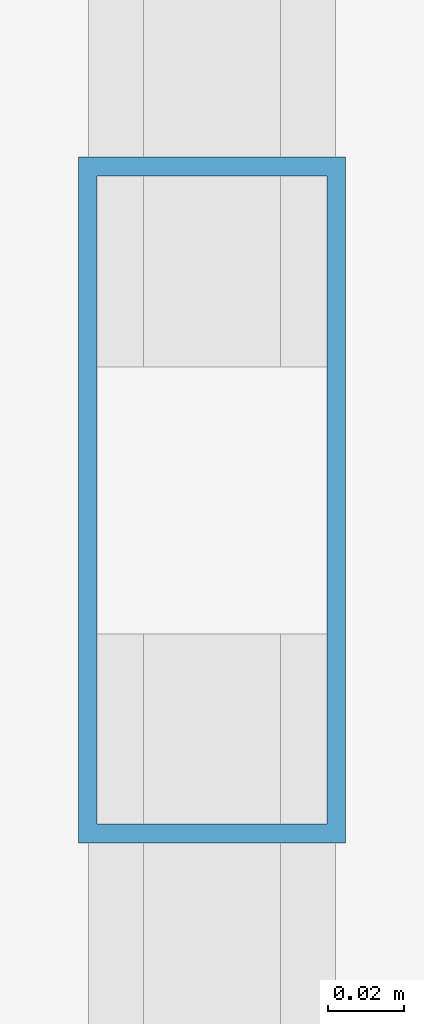
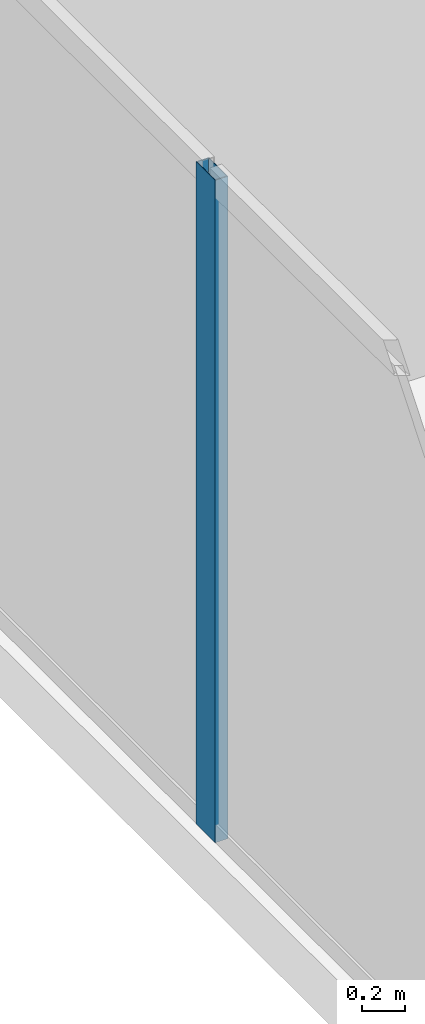
# One storey, part 9 of 33: 1 member, 1 element without a shape of its own.
"""IFC4 building model written with IfcOpenShell, lengths in metres."""

import ifcopenshell
import ifcopenshell.guid

model = None  # the IFC model being written
_history = None  # IfcOwnerHistory: only IFC2X3 demands one
_inside = {}  # id of a spatial element -> (the spatial element, [elements in it])
_under = {}  # id of a project, library or spatial element -> (it, [spatial elements below it])
_declared = {}  # id of a project -> (the project, [libraries it declares])
_typed = {}  # id of a type object -> (the type object, [elements of that type])
_made_of = {}  # id of a material, layer set ... -> (it, [elements and type objects made of it])


def new_model(schema):
    """Start an empty IFC model of exactly this schema.

    Asked for "IFC4X3", IfcOpenShell would pick the latest addendum, in which some entities
    have other attributes; the version numbers below select the first issue.
    IFC2X3 requires an IfcOwnerHistory on every rooted entity: one is made here for all.
    """
    global model, _history
    if schema == "IFC4X3":
        model = ifcopenshell.file(schema_version=(4, 3, 0, 0))
    else:
        model = ifcopenshell.file(schema=schema)
    _inside.clear()
    _under.clear()
    _declared.clear()
    _typed.clear()
    _made_of.clear()
    _history = None
    if model.schema == "IFC2X3":
        org = make("IfcOrganization", Name="unknown")
        user = make(
            "IfcPersonAndOrganization",
            ThePerson=make("IfcPerson", FamilyName="unknown"),
            TheOrganization=org,
        )
        app = make(
            "IfcApplication",
            ApplicationDeveloper=org,
            Version="unknown",
            ApplicationFullName="unknown",
            ApplicationIdentifier="unknown",
        )
        _history = make(
            "IfcOwnerHistory",
            OwningUser=user,
            OwningApplication=app,
            ChangeAction="ADDED",
            CreationDate=0,
        )
    return model


def make(cls, **values):
    """One entity of the class cls with the attributes given. An attribute that is None is left unset."""
    return model.create_entity(
        cls, **{name: value for name, value in values.items() if value is not None}
    )


def rooted(cls, **values):
    """An entity with a GlobalId (a new one), such as an element, a storey or a relation."""
    return make(cls, GlobalId=ifcopenshell.guid.new(), OwnerHistory=_history, **values)


def si_unit(unit_type, name, prefix=None):
    """IfcSIUnit, for example si_unit("LENGTHUNIT", "METRE", prefix="MILLI")."""
    return make("IfcSIUnit", UnitType=unit_type, Prefix=prefix, Name=name)


def assignment(units):
    """IfcUnitAssignment: the units of a project."""
    return None if units is None else make("IfcUnitAssignment", Units=units)


def point(xyz):
    """IfcCartesianPoint."""
    return None if xyz is None else make("IfcCartesianPoint", Coordinates=xyz)


def direction(xyz):
    """IfcDirection."""
    return None if xyz is None else make("IfcDirection", DirectionRatios=xyz)


def frame(location, z_axis=None, x_axis=None):
    """IfcAxis2Placement3D, a coordinate frame: its origin and axes. An axis left out is left unset."""
    return make(
        "IfcAxis2Placement3D",
        Location=point(location),
        Axis=direction(z_axis),
        RefDirection=direction(x_axis),
    )


def frame_2d(location, x_axis=None):
    """IfcAxis2Placement2D, a coordinate frame in the plane: its origin and x axis."""
    return make(
        "IfcAxis2Placement2D", Location=point(location), RefDirection=direction(x_axis)
    )


def origin():
    """The frame at (0, 0, 0) with its axes left unset."""
    return frame((0.0, 0.0, 0.0))


def origin_2d():
    """The frame at (0, 0) in the plane with its x axis left unset."""
    return frame_2d((0.0, 0.0))


def place(relative_to, where):
    """IfcLocalPlacement: puts the frame where relative to a parent placement (None: the world)."""
    return make(
        "IfcLocalPlacement", PlacementRelTo=relative_to, RelativePlacement=where
    )


def context(
    kind, dimensions, precision=None, world=None, true_north=None, identifier=None
):
    """IfcGeometricRepresentationContext, for example the 3D "Model" context."""
    return make(
        "IfcGeometricRepresentationContext",
        ContextIdentifier=identifier,
        ContextType=kind,
        CoordinateSpaceDimension=dimensions,
        Precision=precision,
        WorldCoordinateSystem=world,
        TrueNorth=true_north,
    )


def subcontext(parent, identifier, kind, view, scale=None):
    """IfcGeometricRepresentationSubContext, for example "Body" below "Model"."""
    return make(
        "IfcGeometricRepresentationSubContext",
        ContextIdentifier=identifier,
        ContextType=kind,
        ParentContext=parent,
        TargetScale=scale,
        TargetView=view,
    )


def project(units=None, contexts=None):
    """IfcProject with its units and contexts."""
    return rooted(
        "IfcProject",
        Name="project",
        RepresentationContexts=contexts,
        UnitsInContext=assignment(units),
    )


def spatial(cls, under=None, at=None, **own):
    """A site, building, storey or space (cls), placed at a placement, below another one or the project."""
    s = rooted(cls, ObjectPlacement=at, **own)
    if under is not None:
        _under.setdefault(under.id(), (under, []))[1].append(s)
    return s


def profile(cls, at=None, kind="AREA", **sizes):
    """A parametric profile (cls). Its sizes go by their IFC names, for example OverallWidth=200.0."""
    return make(cls, ProfileType=kind, Position=at, **sizes)


def hollow_rectangle(**sizes):
    """IfcRectangleHollowProfileDef."""
    return profile("IfcRectangleHollowProfileDef", **sizes)


def extrude(swept, where, along, depth):
    """IfcExtrudedAreaSolid: the profile swept, set in the frame where, extruded along a direction by depth."""
    return make(
        "IfcExtrudedAreaSolid",
        SweptArea=swept,
        Position=where,
        ExtrudedDirection=direction(along),
        Depth=depth,
    )


def shape(context_of_items, identifier, shape_type, items):
    """IfcShapeRepresentation: the items that make up one representation, for example the "Body"."""
    return make(
        "IfcShapeRepresentation",
        ContextOfItems=context_of_items,
        RepresentationIdentifier=identifier,
        RepresentationType=shape_type,
        Items=items,
    )


def source(mapping_origin, context_of_items, identifier, shape_type, items):
    """IfcRepresentationMap: a shape defined once, which mapped items show again and again."""
    return make(
        "IfcRepresentationMap",
        MappingOrigin=mapping_origin,
        MappedRepresentation=shape(context_of_items, identifier, shape_type, items),
    )


def transform(
    local_origin,
    x_axis=None,
    y_axis=None,
    z_axis=None,
    scale=None,
    scale2=None,
    scale3=None,
    uniform=True,
):
    """IfcCartesianTransformationOperator3D, or its non-uniform kind. x_axis, y_axis, z_axis: its Axis1, 2, 3."""
    if uniform:
        return make(
            "IfcCartesianTransformationOperator3D",
            Axis1=direction(x_axis),
            Axis2=direction(y_axis),
            LocalOrigin=point(local_origin),
            Scale=scale,
            Axis3=direction(z_axis),
        )
    return make(
        "IfcCartesianTransformationOperator3DnonUniform",
        Axis1=direction(x_axis),
        Axis2=direction(y_axis),
        LocalOrigin=point(local_origin),
        Scale=scale,
        Axis3=direction(z_axis),
        Scale2=scale2,
        Scale3=scale3,
    )


def mapped(mapping_source, mapping_target):
    """IfcMappedItem: shows the shape of a source again, moved by a transform."""
    return make(
        "IfcMappedItem", MappingSource=mapping_source, MappingTarget=mapping_target
    )


def material(Name=None, Category=None):
    """IfcMaterial."""
    return make("IfcMaterial", Name=Name, Category=Category)


def layer(
    of_material, thickness, ventilated=None, Name=None, Category=None, Priority=None
):
    """IfcMaterialLayer: one layer of a wall or slab, of a material (None: an air gap)."""
    return make(
        "IfcMaterialLayer",
        Material=of_material,
        LayerThickness=thickness,
        IsVentilated=ventilated,
        Name=Name,
        Category=Category,
        Priority=Priority,
    )


def layer_set(layers, Name=None):
    """IfcMaterialLayerSet."""
    return make("IfcMaterialLayerSet", MaterialLayers=layers, LayerSetName=Name)


def material_profile(
    of_material, cross_section, Name=None, Category=None, Priority=None
):
    """IfcMaterialProfile: a cross section and its material."""
    return make(
        "IfcMaterialProfile",
        Name=Name,
        Material=of_material,
        Profile=cross_section,
        Priority=Priority,
        Category=Category,
    )


def profile_set(profiles, Name=None, composite=None):
    """IfcMaterialProfileSet."""
    return make(
        "IfcMaterialProfileSet",
        Name=Name,
        MaterialProfiles=profiles,
        CompositeProfile=composite,
    )


def made_of(thing, what):
    """Note that an element or type object is made of a material, layer set ...; save() writes the relation."""
    if what is not None:
        _made_of.setdefault(what.id(), (what, []))[1].append(thing)
    return thing


def type_object(cls, material=None, **own):
    """A type object (cls), such as IfcWallType, which elements share."""
    return made_of(rooted(cls, **own), material)


def type_shapes(of_type, sources):
    """Give a type object the sources (RepresentationMaps) that its elements show as mapped items."""
    of_type.RepresentationMaps = sources


def element(
    cls,
    number,
    at=None,
    inside=None,
    cuts=None,
    type_object=None,
    material=None,
    context=None,
    identifier="Body",
    shape_type=None,
    held_by="IfcProductDefinitionShape",
    body=None,
    shapes=None,
    **own,
):
    """One element of the class cls, such as IfcWall. Its Tag is "e" and its number.

    at: its placement. inside: the storey or other place that contains it. cuts: it is an
    opening in that element (IfcRelVoidsElement). A single representation is given by context,
    identifier, shape_type and body (its items); several are given by shapes. held_by: the class
    of the entity that holds the representations. save() writes the other relations.
    """
    e = rooted(cls, Tag="e%d" % number, ObjectPlacement=at, **own)
    if body is not None:
        shapes = [shape(context, identifier, shape_type, body)]
    if shapes is not None:
        e.Representation = make(held_by, Representations=shapes)
    if inside is not None:
        _inside.setdefault(inside.id(), (inside, []))[1].append(e)
    if cuts is not None:
        rooted(
            "IfcRelVoidsElement", RelatingBuildingElement=cuts, RelatedOpeningElement=e
        )
    if type_object is not None:
        _typed.setdefault(type_object.id(), (type_object, []))[1].append(e)
    return made_of(e, material)


def aggregate(whole, parts):
    """IfcRelAggregates: a whole, such as a stair, and the parts it consists of."""
    return rooted("IfcRelAggregates", RelatingObject=whole, RelatedObjects=parts)


def save(model, path):
    """Write the relations noted so far, then the file.

    IfcRelAggregates (storeys below a building ...), IfcRelContainedInSpatialStructure (elements
    in a storey), IfcRelDefinesByType, IfcRelAssociatesMaterial and IfcRelDeclares: one each for
    every whole, place, type object, material and project.
    """
    for whole, parts in _under.values():
        aggregate(whole, parts)
    for where, things in _inside.values():
        rooted(
            "IfcRelContainedInSpatialStructure",
            RelatedElements=things,
            RelatingStructure=where,
        )
    for kind, things in _typed.values():
        rooted("IfcRelDefinesByType", RelatedObjects=things, RelatingType=kind)
    for what, things in _made_of.values():
        rooted("IfcRelAssociatesMaterial", RelatedObjects=things, RelatingMaterial=what)
    for by, libraries in _declared.values():
        rooted("IfcRelDeclares", RelatingContext=by, RelatedDefinitions=libraries)
    model.write(path)


model = new_model("IFC4")

# Units and contexts
model_context = context("Model", 3, precision=1e-05, world=origin(), true_north=direction((0.0, 1.0)))
body_context = subcontext(model_context, "Body", "Model", "MODEL_VIEW")
ifc_project = project(units=[si_unit("LENGTHUNIT", "METRE"), si_unit("AREAUNIT", "SQUARE_METRE"), si_unit("VOLUMEUNIT", "CUBIC_METRE"), si_unit("PLANEANGLEUNIT", "RADIAN"), si_unit("MASSUNIT", "GRAM", prefix="KILO")], contexts=[model_context])

# Site, building, storey
site_placement = place(None, origin())
site = spatial("IfcSite", under=ifc_project, at=site_placement, CompositionType="ELEMENT")
building_placement = place(site_placement, origin())
building = spatial("IfcBuilding", under=site, at=building_placement, Name="Haelvirn Gate Laboratories", CompositionType="ELEMENT")
storey_placement = place(building_placement, frame((0.0, 0.0, 250.60009765625)))
storey = spatial("IfcBuildingStorey", under=building, at=storey_placement, Name="L60", CompositionType="ELEMENT", Elevation=250.60009765625)

# Curtain wall, member
ifc_material_1 = material(Name="Anodised bronze unitised aluminium & triple low-E glass", Category="aluminium")
ifc_layer = layer(ifc_material_1, 0.176025390625, Name="CW-SYS-4")
ifc_layer_set = layer_set([ifc_layer], Name="Anodised bronze unitised aluminium & triple low-E glass")
curtain_wall_type = type_object("IfcCurtainWallType", Name="CW-SYS-4", PredefinedType="NOTDEFINED", material=ifc_layer_set)
curtain_wall_placement = place(storey_placement, origin())
curtain_wall = element("IfcCurtainWall", 1, at=curtain_wall_placement, inside=storey, type_object=curtain_wall_type, Name="L60 Unitised Curtain Wall CW-L60-P0-E17", PredefinedType="NOTDEFINED")
ifc_material_2 = material(Name="Extruded aluminium 6063-T6 (anodised bronze)", Category="aluminium")
ifc_material_profile = material_profile(ifc_material_2, hollow_rectangle(XDim=0.070068359375, YDim=0.179931640625, WallThickness=0.0048828125, at=origin_2d()), Name="CWM-180x70x5")
ifc_profile_set = profile_set([ifc_material_profile], Name="Extruded aluminium 6063-T6 (anodised bronze)")
member_type = type_object("IfcMemberType", Name="CWM-T180", PredefinedType="MULLION", material=ifc_profile_set)
shared_shape = source(origin(), body_context, "Body", "SweptSolid", [
    extrude(hollow_rectangle(XDim=0.070068359375, YDim=0.179931640625, WallThickness=0.0048828125, at=origin_2d()), origin(), (0.0, 0.0, 1.0), 3.7998046875),
])
type_shapes(member_type, [shared_shape])
member_placement = place(storey_placement, frame((4.10009765625, 24.300048828125, 0.0), z_axis=(0.0, 0.0, 1.0), x_axis=(1.0, 0.0, 0.0)))
member = element("IfcMember", 2, at=member_placement, type_object=member_type, Name="CW4 mullion 2", PredefinedType="MULLION", context=body_context, shape_type="MappedRepresentation", body=[
    mapped(shared_shape, transform((0.0, 0.0, 0.0), scale=1.0)),
])
aggregate(curtain_wall, [member])

save(model, "model.ifc")
